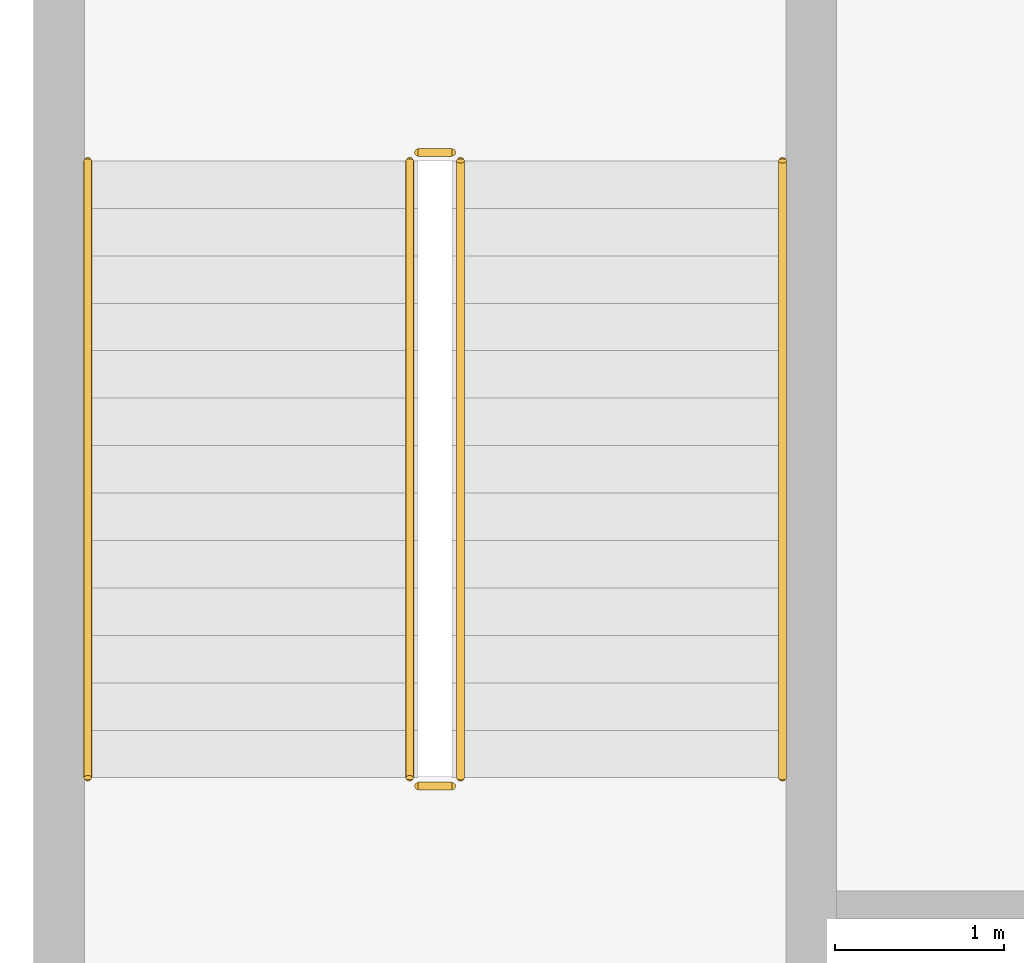
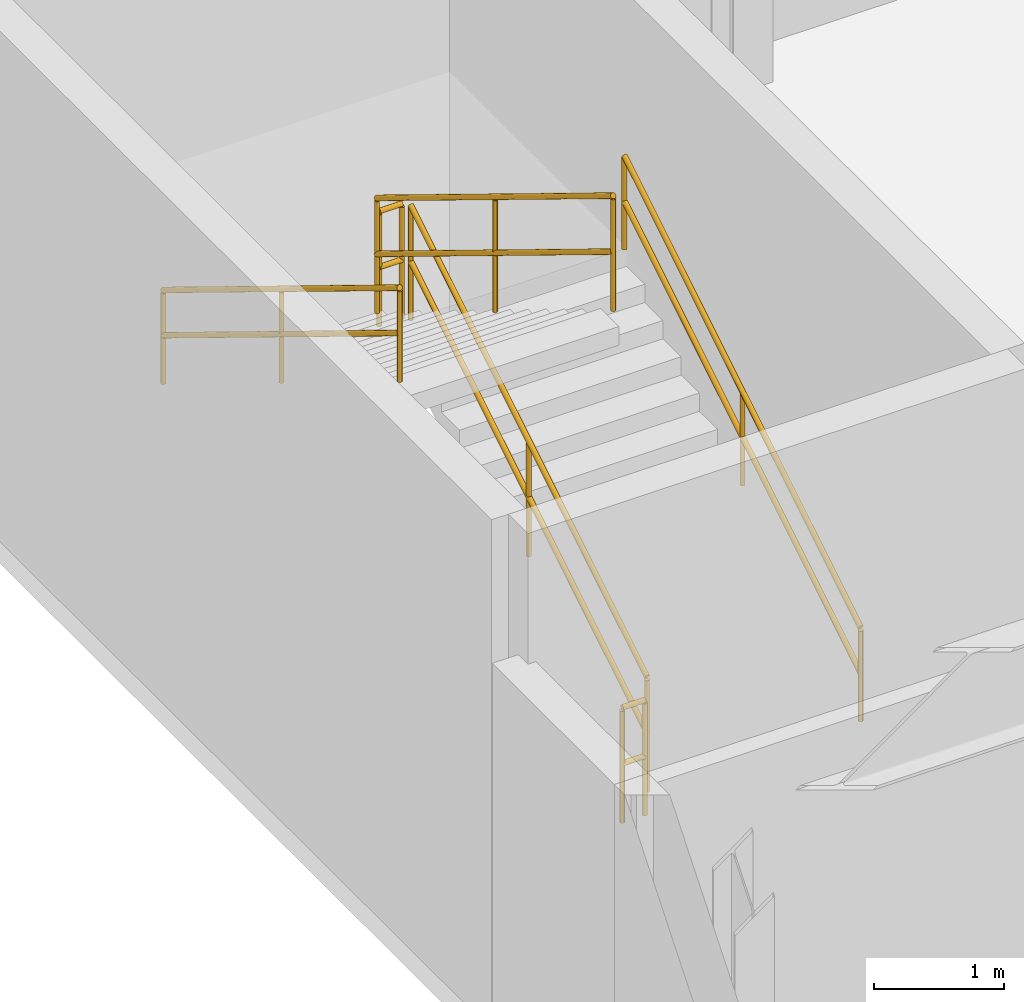
# One storey, part 25 of 26: 6 railings.
"""IFC4 building model written with IfcOpenShell, lengths in metres."""

from ifc_helpers import new_model, si_unit, direction, frame, origin, origin_2d, place, context, subcontext, project, spatial, circle, extrude, material, type_object, element, save


model = new_model("IFC4")

# Units and contexts
model_context = context("Model", 3, precision=1e-05, world=origin(), true_north=direction((0.0, 1.0)))
body_context = subcontext(model_context, "Body", "Model", "MODEL_VIEW")
ifc_project = project(units=[si_unit("LENGTHUNIT", "METRE"), si_unit("AREAUNIT", "SQUARE_METRE"), si_unit("VOLUMEUNIT", "CUBIC_METRE"), si_unit("PLANEANGLEUNIT", "RADIAN"), si_unit("MASSUNIT", "GRAM", prefix="KILO")], contexts=[model_context])

# Site, building, storey
site_placement = place(None, origin())
site = spatial("IfcSite", under=ifc_project, at=site_placement, CompositionType="ELEMENT")
building_placement = place(site_placement, origin())
building = spatial("IfcBuilding", under=site, at=building_placement, Name="Veldorina Hangang Commons", CompositionType="ELEMENT")
storey_placement = place(building_placement, frame((0.0, 0.0, 10.0)))
storey = spatial("IfcBuildingStorey", under=building, at=storey_placement, Name="L02", CompositionType="ELEMENT", Elevation=10.0)

# Railings
ifc_material_1 = material(Name="Steel Painted Balustrade", Category="steel")
railing_type_1 = type_object("IfcRailingType", Name="RL-GRD-STAIR", PredefinedType="GUARDRAIL", material=ifc_material_1)
railing_1_placement = place(storey_placement, frame((6.449951171875, 36.39990234375, 0.17138671875)))
element("IfcRailing", 1, at=railing_1_placement, inside=storey, type_object=railing_type_1, Name="L02 ST-P1 stair guard 1", PredefinedType="GUARDRAIL", context=body_context, shape_type="SweptSolid", body=[
    extrude(circle(Radius=0.02392578125, at=origin_2d()), frame((0.0, 0.0, 1.076171875), z_axis=(0.0, 0.852865859571, 0.52213008492), x_axis=(-1.0, 0.0, 0.0)), (0.0, 0.0, 1.0), 4.26806640625),
    extrude(circle(Radius=0.02392578125, at=origin_2d()), frame((0.0, 0.0, 0.550048828125), z_axis=(0.0, 0.852865859571, 0.52213008492), x_axis=(-1.0, 0.0, 0.0)), (0.0, 0.0, 1.0), 4.26806640625),
    extrude(circle(Radius=0.02099609375, at=origin_2d()), origin(), (0.0, 0.0, 1.0), 1.052001953125),
    extrude(circle(Radius=0.02099609375, at=origin_2d()), frame((0.0, 1.820068359375, 1.1142578125)), (0.0, 0.0, 1.0), 1.052001953125),
    extrude(circle(Radius=0.02099609375, at=origin_2d()), frame((0.0, 3.64013671875, 2.228515625)), (0.0, 0.0, 1.0), 1.052001953125),
])
railing_2_placement = place(storey_placement, frame((6.39990234375, 40.090087890625, 2.39990234375)))
element("IfcRailing", 2, at=railing_2_placement, inside=storey, type_object=railing_type_1, Name="L02 ST-P1 stair guard 2", PredefinedType="GUARDRAIL", context=body_context, shape_type="SweptSolid", body=[
    extrude(circle(Radius=0.02392578125, at=origin_2d()), frame((0.0, 0.0, 1.076171875), z_axis=(-1.0, 0.0, 0.0), x_axis=(0.0, -1.0, 0.0)), (0.0, 0.0, 1.0), 0.199951171875),
    extrude(circle(Radius=0.02392578125, at=origin_2d()), frame((0.0, 0.0, 0.550048828125), z_axis=(-1.0, 0.0, 0.0), x_axis=(0.0, -1.0, 0.0)), (0.0, 0.0, 1.0), 0.199951171875),
    extrude(circle(Radius=0.02099609375, at=origin_2d()), origin(), (0.0, 0.0, 1.0), 1.052001953125),
    extrude(circle(Radius=0.02099609375, at=origin_2d()), frame((-0.199951171875, 0.0, 0.0)), (0.0, 0.0, 1.0), 1.052001953125),
])
railing_3_placement = place(storey_placement, frame((6.14990234375, 40.0400390625, 2.571533203125)))
element("IfcRailing", 3, at=railing_3_placement, inside=storey, type_object=railing_type_1, Name="L02 ST-P1 stair guard 3", PredefinedType="GUARDRAIL", context=body_context, shape_type="SweptSolid", body=[
    extrude(circle(Radius=0.02392578125, at=origin_2d()), frame((0.0, 0.0, 1.076171875), z_axis=(0.0, -0.852865859571, 0.52213008492), x_axis=(1.0, 0.0, 0.0)), (0.0, 0.0, 1.0), 4.26806640625),
    extrude(circle(Radius=0.02392578125, at=origin_2d()), frame((0.0, 0.0, 0.550048828125), z_axis=(0.0, -0.852865859571, 0.52213008492), x_axis=(1.0, 0.0, 0.0)), (0.0, 0.0, 1.0), 4.26806640625),
    extrude(circle(Radius=0.02099609375, at=origin_2d()), origin(), (0.0, 0.0, 1.0), 1.052001953125),
    extrude(circle(Radius=0.02099609375, at=origin_2d()), frame((0.0, -1.820068359375, 1.1142578125)), (0.0, 0.0, 1.0), 1.052001953125),
    extrude(circle(Radius=0.02099609375, at=origin_2d()), frame((0.0, -3.64013671875, 2.228515625)), (0.0, 0.0, 1.0), 1.052001953125),
])
railing_4_placement = place(storey_placement, frame((6.39990234375, 36.35009765625, 0.0)))
element("IfcRailing", 4, at=railing_4_placement, inside=storey, type_object=railing_type_1, Name="L02 ST-P1 stair guard 4", PredefinedType="GUARDRAIL", context=body_context, shape_type="SweptSolid", body=[
    extrude(circle(Radius=0.02392578125, at=origin_2d()), frame((0.0, 0.0, 1.076171875), z_axis=(-1.0, 0.0, 0.0), x_axis=(0.0, -1.0, 0.0)), (0.0, 0.0, 1.0), 0.199951171875),
    extrude(circle(Radius=0.02392578125, at=origin_2d()), frame((0.0, 0.0, 0.550048828125), z_axis=(-1.0, 0.0, 0.0), x_axis=(0.0, -1.0, 0.0)), (0.0, 0.0, 1.0), 0.199951171875),
    extrude(circle(Radius=0.02099609375, at=origin_2d()), origin(), (0.0, 0.0, 1.0), 1.052001953125),
    extrude(circle(Radius=0.02099609375, at=origin_2d()), frame((-0.199951171875, 0.0, 0.0)), (0.0, 0.0, 1.0), 1.052001953125),
])
ifc_material_2 = material(Name="Stainless Steel Brushed 316", Category="steel")
railing_type_2 = type_object("IfcRailingType", Name="RL-HND-STAIR", PredefinedType="HANDRAIL", material=ifc_material_2)
railing_5_placement = place(storey_placement, frame((8.35009765625, 36.39990234375, 0.17138671875)))
element("IfcRailing", 5, at=railing_5_placement, inside=storey, type_object=railing_type_2, Name="L02 ST-P1 stair handrail 1", PredefinedType="HANDRAIL", context=body_context, shape_type="SweptSolid", body=[
    extrude(circle(Radius=0.02392578125, at=origin_2d()), frame((0.0, 0.0, 0.8759765625), z_axis=(0.0, 0.852865859571, 0.52213008492), x_axis=(-1.0, 0.0, 0.0)), (0.0, 0.0, 1.0), 4.26806640625),
    extrude(circle(Radius=0.02392578125, at=origin_2d()), frame((0.0, 0.0, 0.449951171875), z_axis=(0.0, 0.852865859571, 0.52213008492), x_axis=(-1.0, 0.0, 0.0)), (0.0, 0.0, 1.0), 4.26806640625),
    extrude(circle(Radius=0.02099609375, at=origin_2d()), origin(), (0.0, 0.0, 1.0), 0.851806640625),
    extrude(circle(Radius=0.02099609375, at=origin_2d()), frame((0.0, 1.820068359375, 1.1142578125)), (0.0, 0.0, 1.0), 0.851806640625),
    extrude(circle(Radius=0.02099609375, at=origin_2d()), frame((0.0, 3.64013671875, 2.228515625)), (0.0, 0.0, 1.0), 0.851806640625),
])
railing_6_placement = place(storey_placement, frame((4.25, 40.0400390625, 2.571533203125)))
element("IfcRailing", 6, at=railing_6_placement, inside=storey, type_object=railing_type_2, Name="L02 ST-P1 stair handrail 2", PredefinedType="HANDRAIL", context=body_context, shape_type="SweptSolid", body=[
    extrude(circle(Radius=0.02392578125, at=origin_2d()), frame((0.0, 0.0, 0.8759765625), z_axis=(0.0, -0.852865859571, 0.52213008492), x_axis=(1.0, 0.0, 0.0)), (0.0, 0.0, 1.0), 4.26806640625),
    extrude(circle(Radius=0.02392578125, at=origin_2d()), frame((0.0, 0.0, 0.449951171875), z_axis=(0.0, -0.852865859571, 0.52213008492), x_axis=(1.0, 0.0, 0.0)), (0.0, 0.0, 1.0), 4.26806640625),
    extrude(circle(Radius=0.02099609375, at=origin_2d()), origin(), (0.0, 0.0, 1.0), 0.851806640625),
    extrude(circle(Radius=0.02099609375, at=origin_2d()), frame((0.0, -1.820068359375, 1.1142578125)), (0.0, 0.0, 1.0), 0.851806640625),
    extrude(circle(Radius=0.02099609375, at=origin_2d()), frame((0.0, -3.64013671875, 2.228515625)), (0.0, 0.0, 1.0), 0.851806640625),
])

save(model, "model.ifc")
